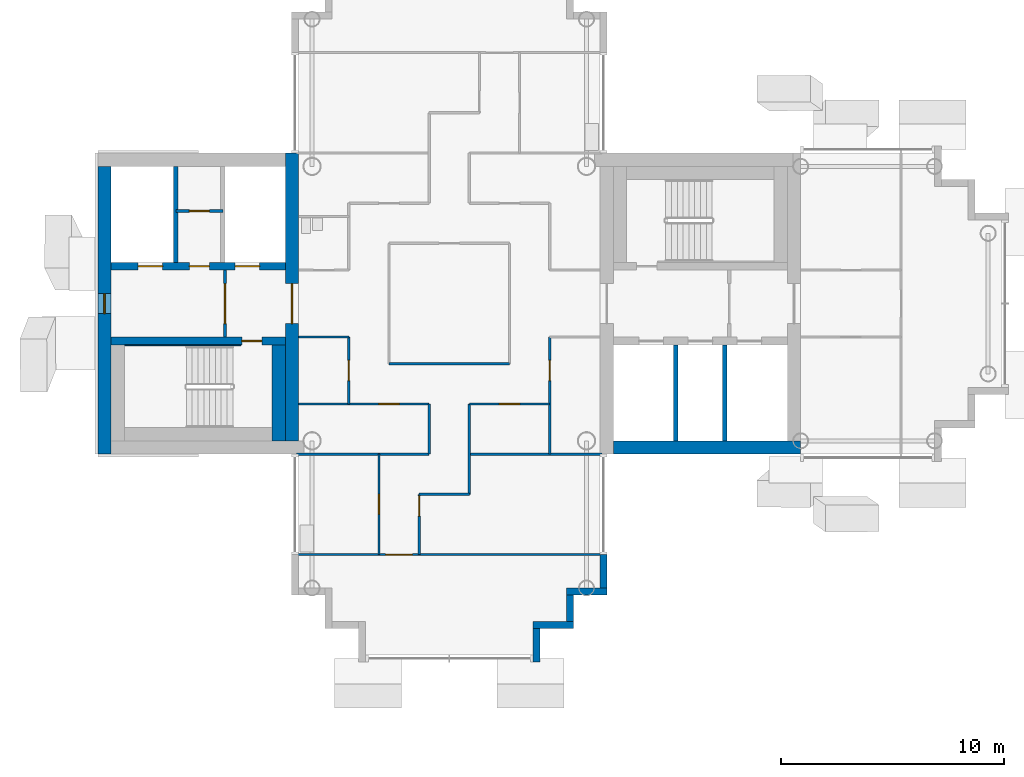
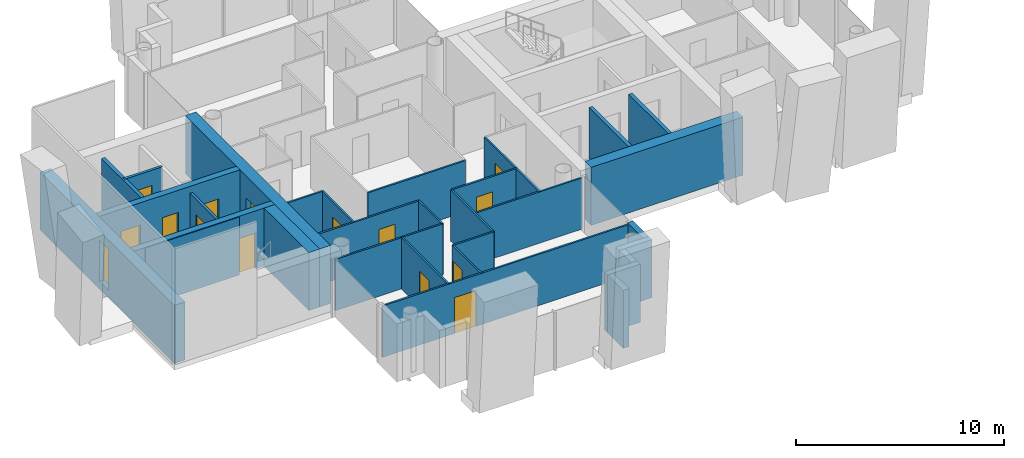
# One storey, part 6 of 18: 31 walls, 14 doors, 1 window, 15 openings.
"""IFC4 building model written with IfcOpenShell, lengths in metres."""

import ifcopenshell
import ifcopenshell.guid

model = None  # the IFC model being written
_history = None  # IfcOwnerHistory: only IFC2X3 demands one
_inside = {}  # id of a spatial element -> (the spatial element, [elements in it])
_under = {}  # id of a project, library or spatial element -> (it, [spatial elements below it])
_declared = {}  # id of a project -> (the project, [libraries it declares])
_typed = {}  # id of a type object -> (the type object, [elements of that type])
_made_of = {}  # id of a material, layer set ... -> (it, [elements and type objects made of it])


def new_model(schema):
    """Start an empty IFC model of exactly this schema.

    Asked for "IFC4X3", IfcOpenShell would pick the latest addendum, in which some entities
    have other attributes; the version numbers below select the first issue.
    IFC2X3 requires an IfcOwnerHistory on every rooted entity: one is made here for all.
    """
    global model, _history
    if schema == "IFC4X3":
        model = ifcopenshell.file(schema_version=(4, 3, 0, 0))
    else:
        model = ifcopenshell.file(schema=schema)
    _inside.clear()
    _under.clear()
    _declared.clear()
    _typed.clear()
    _made_of.clear()
    _history = None
    if model.schema == "IFC2X3":
        org = make("IfcOrganization", Name="unknown")
        user = make(
            "IfcPersonAndOrganization",
            ThePerson=make("IfcPerson", FamilyName="unknown"),
            TheOrganization=org,
        )
        app = make(
            "IfcApplication",
            ApplicationDeveloper=org,
            Version="unknown",
            ApplicationFullName="unknown",
            ApplicationIdentifier="unknown",
        )
        _history = make(
            "IfcOwnerHistory",
            OwningUser=user,
            OwningApplication=app,
            ChangeAction="ADDED",
            CreationDate=0,
        )
    return model


def make(cls, **values):
    """One entity of the class cls with the attributes given. An attribute that is None is left unset."""
    return model.create_entity(
        cls, **{name: value for name, value in values.items() if value is not None}
    )


def rooted(cls, **values):
    """An entity with a GlobalId (a new one), such as an element, a storey or a relation."""
    return make(cls, GlobalId=ifcopenshell.guid.new(), OwnerHistory=_history, **values)


def si_unit(unit_type, name, prefix=None):
    """IfcSIUnit, for example si_unit("LENGTHUNIT", "METRE", prefix="MILLI")."""
    return make("IfcSIUnit", UnitType=unit_type, Prefix=prefix, Name=name)


def assignment(units):
    """IfcUnitAssignment: the units of a project."""
    return None if units is None else make("IfcUnitAssignment", Units=units)


def point(xyz):
    """IfcCartesianPoint."""
    return None if xyz is None else make("IfcCartesianPoint", Coordinates=xyz)


def direction(xyz):
    """IfcDirection."""
    return None if xyz is None else make("IfcDirection", DirectionRatios=xyz)


def frame(location, z_axis=None, x_axis=None):
    """IfcAxis2Placement3D, a coordinate frame: its origin and axes. An axis left out is left unset."""
    return make(
        "IfcAxis2Placement3D",
        Location=point(location),
        Axis=direction(z_axis),
        RefDirection=direction(x_axis),
    )


def frame_2d(location, x_axis=None):
    """IfcAxis2Placement2D, a coordinate frame in the plane: its origin and x axis."""
    return make(
        "IfcAxis2Placement2D", Location=point(location), RefDirection=direction(x_axis)
    )


def origin():
    """The frame at (0, 0, 0) with its axes left unset."""
    return frame((0.0, 0.0, 0.0))


def place(relative_to, where):
    """IfcLocalPlacement: puts the frame where relative to a parent placement (None: the world)."""
    return make(
        "IfcLocalPlacement", PlacementRelTo=relative_to, RelativePlacement=where
    )


def context(
    kind, dimensions, precision=None, world=None, true_north=None, identifier=None
):
    """IfcGeometricRepresentationContext, for example the 3D "Model" context."""
    return make(
        "IfcGeometricRepresentationContext",
        ContextIdentifier=identifier,
        ContextType=kind,
        CoordinateSpaceDimension=dimensions,
        Precision=precision,
        WorldCoordinateSystem=world,
        TrueNorth=true_north,
    )


def subcontext(parent, identifier, kind, view, scale=None):
    """IfcGeometricRepresentationSubContext, for example "Body" below "Model"."""
    return make(
        "IfcGeometricRepresentationSubContext",
        ContextIdentifier=identifier,
        ContextType=kind,
        ParentContext=parent,
        TargetScale=scale,
        TargetView=view,
    )


def project(units=None, contexts=None):
    """IfcProject with its units and contexts."""
    return rooted(
        "IfcProject",
        Name="project",
        RepresentationContexts=contexts,
        UnitsInContext=assignment(units),
    )


def spatial(cls, under=None, at=None, **own):
    """A site, building, storey or space (cls), placed at a placement, below another one or the project."""
    s = rooted(cls, ObjectPlacement=at, **own)
    if under is not None:
        _under.setdefault(under.id(), (under, []))[1].append(s)
    return s


def profile(cls, at=None, kind="AREA", **sizes):
    """A parametric profile (cls). Its sizes go by their IFC names, for example OverallWidth=200.0."""
    return make(cls, ProfileType=kind, Position=at, **sizes)


def rectangle(**sizes):
    """IfcRectangleProfileDef."""
    return profile("IfcRectangleProfileDef", **sizes)


def extrude(swept, where, along, depth):
    """IfcExtrudedAreaSolid: the profile swept, set in the frame where, extruded along a direction by depth."""
    return make(
        "IfcExtrudedAreaSolid",
        SweptArea=swept,
        Position=where,
        ExtrudedDirection=direction(along),
        Depth=depth,
    )


def shape(context_of_items, identifier, shape_type, items):
    """IfcShapeRepresentation: the items that make up one representation, for example the "Body"."""
    return make(
        "IfcShapeRepresentation",
        ContextOfItems=context_of_items,
        RepresentationIdentifier=identifier,
        RepresentationType=shape_type,
        Items=items,
    )


def material(Name=None, Category=None):
    """IfcMaterial."""
    return make("IfcMaterial", Name=Name, Category=Category)


def layer(
    of_material, thickness, ventilated=None, Name=None, Category=None, Priority=None
):
    """IfcMaterialLayer: one layer of a wall or slab, of a material (None: an air gap)."""
    return make(
        "IfcMaterialLayer",
        Material=of_material,
        LayerThickness=thickness,
        IsVentilated=ventilated,
        Name=Name,
        Category=Category,
        Priority=Priority,
    )


def layer_set(layers, Name=None):
    """IfcMaterialLayerSet."""
    return make("IfcMaterialLayerSet", MaterialLayers=layers, LayerSetName=Name)


def made_of(thing, what):
    """Note that an element or type object is made of a material, layer set ...; save() writes the relation."""
    if what is not None:
        _made_of.setdefault(what.id(), (what, []))[1].append(thing)
    return thing


def type_object(cls, material=None, **own):
    """A type object (cls), such as IfcWallType, which elements share."""
    return made_of(rooted(cls, **own), material)


def element(
    cls,
    number,
    at=None,
    inside=None,
    cuts=None,
    type_object=None,
    material=None,
    context=None,
    identifier="Body",
    shape_type=None,
    held_by="IfcProductDefinitionShape",
    body=None,
    shapes=None,
    **own,
):
    """One element of the class cls, such as IfcWall. Its Tag is "e" and its number.

    at: its placement. inside: the storey or other place that contains it. cuts: it is an
    opening in that element (IfcRelVoidsElement). A single representation is given by context,
    identifier, shape_type and body (its items); several are given by shapes. held_by: the class
    of the entity that holds the representations. save() writes the other relations.
    """
    e = rooted(cls, Tag="e%d" % number, ObjectPlacement=at, **own)
    if body is not None:
        shapes = [shape(context, identifier, shape_type, body)]
    if shapes is not None:
        e.Representation = make(held_by, Representations=shapes)
    if inside is not None:
        _inside.setdefault(inside.id(), (inside, []))[1].append(e)
    if cuts is not None:
        rooted(
            "IfcRelVoidsElement", RelatingBuildingElement=cuts, RelatedOpeningElement=e
        )
    if type_object is not None:
        _typed.setdefault(type_object.id(), (type_object, []))[1].append(e)
    return made_of(e, material)


def fill(opening, filler):
    """IfcRelFillsElement: the door or window that sits in an opening."""
    return rooted(
        "IfcRelFillsElement",
        RelatingOpeningElement=opening,
        RelatedBuildingElement=filler,
    )


def aggregate(whole, parts):
    """IfcRelAggregates: a whole, such as a stair, and the parts it consists of."""
    return rooted("IfcRelAggregates", RelatingObject=whole, RelatedObjects=parts)


def save(model, path):
    """Write the relations noted so far, then the file.

    IfcRelAggregates (storeys below a building ...), IfcRelContainedInSpatialStructure (elements
    in a storey), IfcRelDefinesByType, IfcRelAssociatesMaterial and IfcRelDeclares: one each for
    every whole, place, type object, material and project.
    """
    for whole, parts in _under.values():
        aggregate(whole, parts)
    for where, things in _inside.values():
        rooted(
            "IfcRelContainedInSpatialStructure",
            RelatedElements=things,
            RelatingStructure=where,
        )
    for kind, things in _typed.values():
        rooted("IfcRelDefinesByType", RelatedObjects=things, RelatingType=kind)
    for what, things in _made_of.values():
        rooted("IfcRelAssociatesMaterial", RelatedObjects=things, RelatingMaterial=what)
    for by, libraries in _declared.values():
        rooted("IfcRelDeclares", RelatingContext=by, RelatedDefinitions=libraries)
    model.write(path)


model = new_model("IFC4")

# Units and contexts
model_context = context("Model", 3, precision=1e-05, world=origin(), true_north=direction((0.0, 1.0)))
body_context = subcontext(model_context, "Body", "Model", "MODEL_VIEW")
ifc_project = project(units=[si_unit("LENGTHUNIT", "METRE"), si_unit("AREAUNIT", "SQUARE_METRE"), si_unit("VOLUMEUNIT", "CUBIC_METRE"), si_unit("PLANEANGLEUNIT", "RADIAN"), si_unit("MASSUNIT", "GRAM", prefix="KILO")], contexts=[model_context])

# Site, building, storey
site_placement = place(None, origin())
site = spatial("IfcSite", under=ifc_project, at=site_placement, CompositionType="ELEMENT")
building_placement = place(site_placement, origin())
building = spatial("IfcBuilding", under=site, at=building_placement, Name="Ipe Terrace Towers", CompositionType="ELEMENT")
storey_placement = place(building_placement, frame((0.0, 0.0, 216.39990234375)))
storey = spatial("IfcBuildingStorey", under=building, at=storey_placement, Name="L60", CompositionType="ELEMENT", Elevation=216.39990234375)

# Walls
ifc_material_1 = material(Name="Concrete C40/50 with buff precast cladding", Category="concrete")
ifc_layer_1 = layer(ifc_material_1, 0.320068359375)
ifc_layer_set_1 = layer_set([ifc_layer_1], Name="BUFF CLADDING WALL 320")
wall_type_1 = type_object("IfcWallType", Name="BUFF CLADDING WALL 320", PredefinedType="STANDARD", material=ifc_layer_set_1)
wall_1_placement = place(storey_placement, frame((-32.090087890625, -16.070068359375, -0.2998046875), z_axis=(0.0, 0.0, 1.0), x_axis=(0.0, 1.0, 0.0)))
element("IfcWall", 1, at=wall_1_placement, inside=storey, type_object=wall_type_1, Name="T1-W-L60-09a wall", PredefinedType="STANDARD", context=body_context, shape_type="SweptSolid", body=[
    extrude(rectangle(XDim=1.5, YDim=0.320068359375, at=frame_2d((0.75, 0.0))), origin(), (0.0, 0.0, 1.0), 3.39990234375),
])
wall_2_placement = place(storey_placement, frame((-32.25, -14.409912109375, -0.2998046875), z_axis=(0.0, 0.0, 1.0), x_axis=(1.0, 0.0, 0.0)))
element("IfcWall", 2, at=wall_2_placement, inside=storey, type_object=wall_type_1, Name="T1-W-L60-10a wall", PredefinedType="STANDARD", context=body_context, shape_type="SweptSolid", body=[
    extrude(rectangle(XDim=1.820068359375, YDim=0.320068359375, at=frame_2d((0.91015625, 0.0))), origin(), (0.0, 0.0, 1.0), 3.39990234375),
])
wall_3_placement = place(storey_placement, frame((-30.590087890625, -14.25, -0.2998046875), z_axis=(0.0, 0.0, 1.0), x_axis=(0.0, 1.0, 0.0)))
element("IfcWall", 3, at=wall_3_placement, inside=storey, type_object=wall_type_1, Name="T1-W-L60-11a wall", PredefinedType="STANDARD", context=body_context, shape_type="SweptSolid", body=[
    extrude(rectangle(XDim=1.179931640625, YDim=0.320068359375, at=frame_2d((0.58984375, 0.0))), origin(), (0.0, 0.0, 1.0), 3.39990234375),
])
wall_4_placement = place(storey_placement, frame((-30.75, -12.909912109375, -0.2998046875), z_axis=(0.0, 0.0, 1.0), x_axis=(1.0, 0.0, 0.0)))
element("IfcWall", 4, at=wall_4_placement, inside=storey, type_object=wall_type_1, Name="T1-W-L60-12a wall", PredefinedType="STANDARD", context=body_context, shape_type="SweptSolid", body=[
    extrude(rectangle(XDim=1.820068359375, YDim=0.320068359375, at=frame_2d((0.91015625, 0.0))), origin(), (0.0, 0.0, 1.0), 3.39990234375),
])
wall_5_placement = place(storey_placement, frame((-29.090087890625, -12.75, -0.2998046875), z_axis=(0.0, 0.0, 1.0), x_axis=(0.0, 1.0, 0.0)))
element("IfcWall", 5, at=wall_5_placement, inside=storey, type_object=wall_type_1, Name="T1-W-L60-13a wall", PredefinedType="STANDARD", context=body_context, shape_type="SweptSolid", body=[
    extrude(rectangle(XDim=1.5, YDim=0.320068359375, at=frame_2d((0.75, 0.0))), origin(), (0.0, 0.0, 1.0), 3.39990234375),
])

# Wall, opening, door
ifc_material_2 = material(Name="Gypsum board partition", Category="plasterboard")
ifc_layer_2 = layer(ifc_material_2, 0.10009765625)
ifc_layer_set_2 = layer_set([ifc_layer_2], Name="Gypsum board partition 100 mm")
wall_type_2 = type_object("IfcWallType", Name="Gypsum board partition 100 mm", PredefinedType="PARTITIONING", material=ifc_layer_set_2)
wall_6_placement = place(storey_placement, frame((-40.5, -4.5, 0.0), z_axis=(0.0, 0.0, 1.0), x_axis=(0.0, 1.0, 0.0)))
wall_6 = element("IfcWall", 6, at=wall_6_placement, inside=storey, type_object=wall_type_2, Name="Gypsum board partition T1 L60 W01", PredefinedType="PARTITIONING", context=body_context, shape_type="SweptSolid", body=[
    extrude(rectangle(XDim=3.0, YDim=0.10009765625, at=frame_2d((1.5, 0.0))), origin(), (0.0, 0.0, 1.0), 3.0),
])
opening_1_placement = place(wall_6_placement, frame((1.050048828125, 0.0, 0.0)))
opening_1 = element("IfcOpeningElement", 7, at=opening_1_placement, cuts=wall_6, Name="Opening T1-Z4F-06", PredefinedType="OPENING", context=body_context, shape_type="SweptSolid", body=[
    extrude(rectangle(XDim=0.89990234375, YDim=2.10009765625, at=frame_2d((0.449951171875, 1.050048828125))), frame((0.0, 0.06005859375, 0.0), z_axis=(0.0, -1.0, 0.0), x_axis=(1.0, 0.0, 0.0)), (0.0, 0.0, 1.0), 0.1201171875),
])
ifc_material_3 = material(Name="Timber door leaf", Category="wood")
door_type_1 = type_object("IfcDoorType", Name="Lounge door 900 x 2100", OperationType="NOTDEFINED", PredefinedType="DOOR", material=ifc_material_3)
door_1_placement = place(opening_1_placement, origin())
door_1 = element("IfcDoor", 8, at=door_1_placement, inside=storey, type_object=door_type_1, Name="Lounge door T1-Z4F-06", OperationType="SINGLE_SWING_LEFT", OverallHeight=2.10009765625, OverallWidth=0.89990234375, PredefinedType="DOOR", context=body_context, shape_type="SweptSolid", body=[
    extrude(rectangle(XDim=0.89990234375, YDim=2.10009765625, at=frame_2d((0.449951171875, 1.050048828125))), frame((0.0, 0.02490234375, 0.0), z_axis=(0.0, -1.0, 0.0), x_axis=(1.0, 0.0, 0.0)), (0.0, 0.0, 1.0), 0.050048828125),
])
fill(opening_1, door_1)

wall_7_placement = place(storey_placement, frame((-39.14990234375, -11.25, 0.0), z_axis=(0.0, 0.0, 1.0), x_axis=(0.0, 1.0, 0.0)))
wall_7 = element("IfcWall", 9, at=wall_7_placement, inside=storey, type_object=wall_type_2, Name="Gypsum board partition T1 L60 W03", PredefinedType="PARTITIONING", context=body_context, shape_type="SweptSolid", body=[
    extrude(rectangle(XDim=4.5, YDim=0.10009765625, at=frame_2d((2.25, 0.0))), origin(), (0.0, 0.0, 1.0), 3.0),
])
opening_2_placement = place(wall_7_placement, frame((1.800048828125, 0.0, 0.0)))
opening_2 = element("IfcOpeningElement", 10, at=opening_2_placement, cuts=wall_7, Name="Opening T1-Z4F-13", PredefinedType="OPENING", context=body_context, shape_type="SweptSolid", body=[
    extrude(rectangle(XDim=0.89990234375, YDim=2.10009765625, at=frame_2d((0.449951171875, 1.050048828125))), frame((0.0, 0.06005859375, 0.0), z_axis=(0.0, -1.0, 0.0), x_axis=(1.0, 0.0, 0.0)), (0.0, 0.0, 1.0), 0.1201171875),
])
door_2_placement = place(opening_2_placement, origin())
door_2 = element("IfcDoor", 11, at=door_2_placement, inside=storey, type_object=door_type_1, Name="Lounge door T1-Z4F-13", OperationType="SINGLE_SWING_LEFT", OverallHeight=2.10009765625, OverallWidth=0.89990234375, PredefinedType="DOOR", context=body_context, shape_type="SweptSolid", body=[
    extrude(rectangle(XDim=0.89990234375, YDim=2.10009765625, at=frame_2d((0.449951171875, 1.050048828125))), frame((0.0, 0.02490234375, 0.0), z_axis=(0.0, -1.0, 0.0), x_axis=(1.0, 0.0, 0.0)), (0.0, 0.0, 1.0), 0.050048828125),
])
fill(opening_2, door_2)

wall_8_placement = place(storey_placement, frame((-37.35009765625, -11.25, 0.0), z_axis=(0.0, 0.0, 1.0), x_axis=(0.0, 1.0, 0.0)))
wall_8 = element("IfcWall", 12, at=wall_8_placement, inside=storey, type_object=wall_type_2, Name="Gypsum board partition T1 L60 W05", PredefinedType="PARTITIONING", context=body_context, shape_type="SweptSolid", body=[
    extrude(rectangle(XDim=2.699951171875, YDim=0.10009765625, at=frame_2d((1.35009765625, 0.0))), origin(), (0.0, 0.0, 1.0), 3.0),
])
opening_3_placement = place(wall_8_placement, frame((1.72998046875, 0.0, 0.0)))
opening_3 = element("IfcOpeningElement", 13, at=opening_3_placement, cuts=wall_8, Name="Opening T1-Z4F-12", PredefinedType="OPENING", context=body_context, shape_type="SweptSolid", body=[
    extrude(rectangle(XDim=0.89990234375, YDim=2.10009765625, at=frame_2d((0.449951171875, 1.050048828125))), frame((0.0, 0.06005859375, 0.0), z_axis=(0.0, -1.0, 0.0), x_axis=(1.0, 0.0, 0.0)), (0.0, 0.0, 1.0), 0.1201171875),
])
door_3_placement = place(opening_3_placement, origin())
door_3 = element("IfcDoor", 14, at=door_3_placement, inside=storey, type_object=door_type_1, Name="Lounge door T1-Z4F-12", OperationType="SINGLE_SWING_RIGHT", OverallHeight=2.10009765625, OverallWidth=0.89990234375, PredefinedType="DOOR", context=body_context, shape_type="SweptSolid", body=[
    extrude(rectangle(XDim=0.89990234375, YDim=2.10009765625, at=frame_2d((0.449951171875, 1.050048828125))), frame((0.0, 0.02490234375, 0.0), z_axis=(0.0, -1.0, 0.0), x_axis=(1.0, 0.0, 0.0)), (0.0, 0.0, 1.0), 0.050048828125),
])
fill(opening_3, door_3)

# Walls
wall_9_placement = place(storey_placement, frame((-36.89990234375, -6.75, 0.0), z_axis=(0.0, 0.0, 1.0), x_axis=(0.0, 1.0, 0.0)))
element("IfcWall", 15, at=wall_9_placement, inside=storey, type_object=wall_type_2, Name="Gypsum board partition T1 L60 W06", PredefinedType="PARTITIONING", context=body_context, shape_type="SweptSolid", body=[
    extrude(rectangle(XDim=2.25, YDim=0.10009765625, at=frame_2d((1.125, 0.0))), origin(), (0.0, 0.0, 1.0), 3.0),
])
wall_10_placement = place(storey_placement, frame((-35.10009765625, -8.550048828125, 0.0), z_axis=(0.0, 0.0, 1.0), x_axis=(0.0, 1.0, 0.0)))
element("IfcWall", 16, at=wall_10_placement, inside=storey, type_object=wall_type_2, Name="Gypsum board partition T1 L60 W08", PredefinedType="PARTITIONING", context=body_context, shape_type="SweptSolid", body=[
    extrude(rectangle(XDim=4.050048828125, YDim=0.10009765625, at=frame_2d((2.02490234375, 0.0))), origin(), (0.0, 0.0, 1.0), 3.0),
])

# Wall, opening, door
wall_11_placement = place(storey_placement, frame((-31.5, -6.75, 0.0), z_axis=(0.0, 0.0, 1.0), x_axis=(0.0, 1.0, 0.0)))
wall_11 = element("IfcWall", 17, at=wall_11_placement, inside=storey, type_object=wall_type_2, Name="Gypsum board partition T1 L60 W13", PredefinedType="PARTITIONING", context=body_context, shape_type="SweptSolid", body=[
    extrude(rectangle(XDim=5.25, YDim=0.10009765625, at=frame_2d((2.625, 0.0))), origin(), (0.0, 0.0, 1.0), 3.0),
])
opening_4_placement = place(wall_11_placement, frame((3.300048828125, 0.0, 0.0)))
opening_4 = element("IfcOpeningElement", 18, at=opening_4_placement, cuts=wall_11, Name="Opening T1-Z4F-08", PredefinedType="OPENING", context=body_context, shape_type="SweptSolid", body=[
    extrude(rectangle(XDim=0.89990234375, YDim=2.10009765625, at=frame_2d((0.449951171875, 1.050048828125))), frame((0.0, 0.06005859375, 0.0), z_axis=(0.0, -1.0, 0.0), x_axis=(1.0, 0.0, 0.0)), (0.0, 0.0, 1.0), 0.1201171875),
])
door_4_placement = place(opening_4_placement, origin())
door_4 = element("IfcDoor", 19, at=door_4_placement, inside=storey, type_object=door_type_1, Name="Lounge door T1-Z4F-08", OperationType="SINGLE_SWING_RIGHT", OverallHeight=2.10009765625, OverallWidth=0.89990234375, PredefinedType="DOOR", context=body_context, shape_type="SweptSolid", body=[
    extrude(rectangle(XDim=0.89990234375, YDim=2.10009765625, at=frame_2d((0.449951171875, 1.050048828125))), frame((0.0, 0.02490234375, 0.0), z_axis=(0.0, -1.0, 0.0), x_axis=(1.0, 0.0, 0.0)), (0.0, 0.0, 1.0), 0.050048828125),
])
fill(opening_4, door_4)

wall_12_placement = place(storey_placement, frame((-42.85009765625, -11.25, 0.0), z_axis=(0.0, 0.0, 1.0), x_axis=(1.0, 0.0, 0.0)))
wall_12 = element("IfcWall", 20, at=wall_12_placement, inside=storey, type_object=wall_type_2, Name="Gypsum board partition T1 L60 W16", PredefinedType="PARTITIONING", context=body_context, shape_type="SweptSolid", body=[
    extrude(rectangle(XDim=13.7001953125, YDim=0.10009765625, at=frame_2d((6.85009765625, 0.0))), origin(), (0.0, 0.0, 1.0), 3.0),
])
opening_5_placement = place(wall_12_placement, frame((4.0, 0.0, 0.0)))
opening_5 = element("IfcOpeningElement", 21, at=opening_5_placement, cuts=wall_12, Name="Opening T1-Z4F-14", PredefinedType="OPENING", context=body_context, shape_type="SweptSolid", body=[
    extrude(rectangle(XDim=1.199951171875, YDim=2.10009765625, at=frame_2d((0.60009765625, 1.050048828125))), frame((0.0, 0.06005859375, 0.0), z_axis=(0.0, -1.0, 0.0), x_axis=(1.0, 0.0, 0.0)), (0.0, 0.0, 1.0), 0.1201171875),
])
ifc_material_4 = material(Name="Timber door leaf", Category="wood")
door_type_2 = type_object("IfcDoorType", Name="Lounge door 1200 x 2100", OperationType="NOTDEFINED", PredefinedType="DOOR", material=ifc_material_4)
door_5_placement = place(opening_5_placement, origin())
door_5 = element("IfcDoor", 22, at=door_5_placement, inside=storey, type_object=door_type_2, Name="Lounge door T1-Z4F-14", OperationType="SINGLE_SWING_LEFT", OverallHeight=2.10009765625, OverallWidth=1.199951171875, PredefinedType="DOOR", context=body_context, shape_type="SweptSolid", body=[
    extrude(rectangle(XDim=1.199951171875, YDim=2.10009765625, at=frame_2d((0.60009765625, 1.050048828125))), frame((0.0, 0.02490234375, 0.0), z_axis=(0.0, -1.0, 0.0), x_axis=(1.0, 0.0, 0.0)), (0.0, 0.0, 1.0), 0.050048828125),
])
fill(opening_5, door_5)

# Walls
wall_13_placement = place(storey_placement, frame((-37.35009765625, -8.550048828125, 0.0), z_axis=(0.0, 0.0, 1.0), x_axis=(1.0, 0.0, 0.0)))
element("IfcWall", 23, at=wall_13_placement, inside=storey, type_object=wall_type_2, Name="Gypsum board partition T1 L60 W17", PredefinedType="PARTITIONING", context=body_context, shape_type="SweptSolid", body=[
    extrude(rectangle(XDim=2.25, YDim=0.10009765625, at=frame_2d((1.125, 0.0))), origin(), (0.0, 0.0, 1.0), 3.0),
])
for number, where, z_axis, x_axis, name in (
    (24, (-42.85009765625, -6.75, 0.0), (0.0, 0.0, 1.0), (1.0, 0.0, 0.0), "Gypsum board partition T1 L60 W18"),
    (25, (-35.10009765625, -6.75, 0.0), (0.0, 0.0, 1.0), (1.0, 0.0, 0.0), "Gypsum board partition T1 L60 W19"),
):
    element("IfcWall", number, at=place(storey_placement, frame(where, z_axis=z_axis, x_axis=x_axis)), inside=storey, type_object=wall_type_2, Name=name, PredefinedType="PARTITIONING", context=body_context, shape_type="SweptSolid", body=[
        extrude(rectangle(XDim=5.9501953125, YDim=0.10009765625, at=frame_2d((2.97509765625, 0.0))), origin(), (0.0, 0.0, 1.0), 3.0),
    ])

# Wall, opening, door
wall_14_placement = place(storey_placement, frame((-42.75, -4.5, 0.0), z_axis=(0.0, 0.0, 1.0), x_axis=(1.0, 0.0, 0.0)))
wall_14 = element("IfcWall", 26, at=wall_14_placement, inside=storey, type_object=wall_type_2, Name="Gypsum board partition T1 L60 W20", PredefinedType="PARTITIONING", context=body_context, shape_type="SweptSolid", body=[
    extrude(rectangle(XDim=5.85009765625, YDim=0.10009765625, at=frame_2d((2.925048828125, 0.0))), origin(), (0.0, 0.0, 1.0), 3.0),
])
opening_6_placement = place(wall_14_placement, frame((3.60009765625, 0.0, 0.0)))
opening_6 = element("IfcOpeningElement", 27, at=opening_6_placement, cuts=wall_14, Name="Opening T1-Z4F-05", PredefinedType="OPENING", context=body_context, shape_type="SweptSolid", body=[
    extrude(rectangle(XDim=0.89990234375, YDim=2.10009765625, at=frame_2d((0.449951171875, 1.050048828125))), frame((0.0, 0.06005859375, 0.0), z_axis=(0.0, -1.0, 0.0), x_axis=(1.0, 0.0, 0.0)), (0.0, 0.0, 1.0), 0.1201171875),
])
door_6_placement = place(opening_6_placement, origin())
door_6 = element("IfcDoor", 28, at=door_6_placement, inside=storey, type_object=door_type_1, Name="Lounge door T1-Z4F-05", OperationType="SINGLE_SWING_RIGHT", OverallHeight=2.10009765625, OverallWidth=0.89990234375, PredefinedType="DOOR", context=body_context, shape_type="SweptSolid", body=[
    extrude(rectangle(XDim=0.89990234375, YDim=2.10009765625, at=frame_2d((0.449951171875, 1.050048828125))), frame((0.0, 0.02490234375, 0.0), z_axis=(0.0, -1.0, 0.0), x_axis=(1.0, 0.0, 0.0)), (0.0, 0.0, 1.0), 0.050048828125),
])
fill(opening_6, door_6)

wall_15_placement = place(storey_placement, frame((-35.10009765625, -4.5, 0.0), z_axis=(0.0, 0.0, 1.0), x_axis=(1.0, 0.0, 0.0)))
wall_15 = element("IfcWall", 29, at=wall_15_placement, inside=storey, type_object=wall_type_2, Name="Gypsum board partition T1 L60 W21", PredefinedType="PARTITIONING", context=body_context, shape_type="SweptSolid", body=[
    extrude(rectangle(XDim=3.60009765625, YDim=0.10009765625, at=frame_2d((1.800048828125, 0.0))), origin(), (0.0, 0.0, 1.0), 3.0),
])
opening_7_placement = place(wall_15_placement, frame((1.35009765625, 0.0, 0.0)))
opening_7 = element("IfcOpeningElement", 30, at=opening_7_placement, cuts=wall_15, Name="Opening T1-Z4F-07", PredefinedType="OPENING", context=body_context, shape_type="SweptSolid", body=[
    extrude(rectangle(XDim=0.89990234375, YDim=2.10009765625, at=frame_2d((0.449951171875, 1.050048828125))), frame((0.0, 0.06005859375, 0.0), z_axis=(0.0, -1.0, 0.0), x_axis=(1.0, 0.0, 0.0)), (0.0, 0.0, 1.0), 0.1201171875),
])
door_7_placement = place(opening_7_placement, origin())
door_7 = element("IfcDoor", 31, at=door_7_placement, inside=storey, type_object=door_type_1, Name="Lounge door T1-Z4F-07", OperationType="SINGLE_SWING_RIGHT", OverallHeight=2.10009765625, OverallWidth=0.89990234375, PredefinedType="DOOR", context=body_context, shape_type="SweptSolid", body=[
    extrude(rectangle(XDim=0.89990234375, YDim=2.10009765625, at=frame_2d((0.449951171875, 1.050048828125))), frame((0.0, 0.02490234375, 0.0), z_axis=(0.0, -1.0, 0.0), x_axis=(1.0, 0.0, 0.0)), (0.0, 0.0, 1.0), 0.050048828125),
])
fill(opening_7, door_7)

# Walls
wall_16_placement = place(storey_placement, frame((-38.699951171875, -2.699951171875, 0.0), z_axis=(0.0, 0.0, 1.0), x_axis=(1.0, 0.0, 0.0)))
element("IfcWall", 32, at=wall_16_placement, inside=storey, type_object=wall_type_2, Name="Gypsum board partition T1 L60 W22", PredefinedType="PARTITIONING", context=body_context, shape_type="SweptSolid", body=[
    extrude(rectangle(XDim=5.39990234375, YDim=0.10009765625, at=frame_2d((2.699951171875, 0.0))), origin(), (0.0, 0.0, 1.0), 3.0),
])
wall_17_placement = place(storey_placement, frame((-42.75, -1.5, 0.0), z_axis=(0.0, 0.0, 1.0), x_axis=(1.0, 0.0, 0.0)))
element("IfcWall", 33, at=wall_17_placement, inside=storey, type_object=wall_type_2, Name="Gypsum board partition T1 L60 W23", PredefinedType="PARTITIONING", context=body_context, shape_type="SweptSolid", body=[
    extrude(rectangle(XDim=2.25, YDim=0.10009765625, at=frame_2d((1.125, 0.0))), origin(), (0.0, 0.0, 1.0), 3.0),
])

# Wall, opening, door
ifc_material_5 = material(Name="Gypsum board partition", Category="plasterboard")
ifc_layer_3 = layer(ifc_material_5, 0.14990234375)
ifc_layer_set_3 = layer_set([ifc_layer_3], Name="Gypsum board partition 150 mm")
wall_type_3 = type_object("IfcWallType", Name="Gypsum board partition 150 mm", PredefinedType="PARTITIONING", material=ifc_layer_set_3)
wall_18_placement = place(storey_placement, frame((-46.050048828125, 1.5, 0.0), z_axis=(0.0, 0.0, 1.0), x_axis=(0.0, -1.0, 0.0)))
wall_18 = element("IfcWall", 34, at=wall_18_placement, inside=storey, type_object=wall_type_3, Name="Gypsum board partition T1 L60 t1c2-lobby-wall", PredefinedType="PARTITIONING", context=body_context, shape_type="SweptSolid", body=[
    extrude(rectangle(XDim=3.0, YDim=0.14990234375, at=frame_2d((1.5, 0.0))), origin(), (0.0, 0.0, 1.0), 3.0),
])
opening_8_placement = place(wall_18_placement, frame((0.60009765625, 0.0, 0.0)))
opening_8 = element("IfcOpeningElement", 35, at=opening_8_placement, cuts=wall_18, Name="Opening T1C2-VD", PredefinedType="OPENING", context=body_context, shape_type="SweptSolid", body=[
    extrude(rectangle(XDim=1.800048828125, YDim=2.10009765625, at=frame_2d((0.89990234375, 1.050048828125))), frame((0.0, 0.0849609375, 0.0), z_axis=(0.0, -1.0, 0.0), x_axis=(1.0, 0.0, 0.0)), (0.0, 0.0, 1.0), 0.169921875),
])
ifc_material_6 = material(Name="Fire-rated timber door leaf", Category="wood")
door_type_3 = type_object("IfcDoorType", Name="Lobby door 1800 x 2100 FD60", OperationType="NOTDEFINED", PredefinedType="DOOR", material=ifc_material_6)
door_8_placement = place(opening_8_placement, origin())
door_8 = element("IfcDoor", 36, at=door_8_placement, inside=storey, type_object=door_type_3, Name="Lobby door T1C2-VD", OperationType="SINGLE_SWING_LEFT", OverallHeight=2.10009765625, OverallWidth=1.800048828125, PredefinedType="DOOR", context=body_context, shape_type="SweptSolid", body=[
    extrude(rectangle(XDim=1.800048828125, YDim=2.10009765625, at=frame_2d((0.89990234375, 1.050048828125))), frame((0.0, 0.02490234375, 0.0), z_axis=(0.0, -1.0, 0.0), x_axis=(1.0, 0.0, 0.0)), (0.0, 0.0, 1.0), 0.050048828125),
])
fill(opening_8, door_8)

wall_19_placement = place(storey_placement, frame((-46.14990234375, 4.14990234375, 0.0), z_axis=(0.0, 0.0, 1.0), x_axis=(-1.0, 0.0, 0.0)))
wall_19 = element("IfcWall", 37, at=wall_19_placement, inside=storey, type_object=wall_type_3, Name="Gypsum board partition T1 L60 t1c2-q-back", PredefinedType="PARTITIONING", context=body_context, shape_type="SweptSolid", body=[
    extrude(rectangle(XDim=2.10009765625, YDim=0.14990234375, at=frame_2d((1.050048828125, 0.0))), origin(), (0.0, 0.0, 1.0), 3.0),
])
opening_9_placement = place(wall_19_placement, frame((0.60009765625, 0.0, 0.0)))
opening_9 = element("IfcOpeningElement", 38, at=opening_9_placement, cuts=wall_19, Name="Opening T1C2-RB", PredefinedType="OPENING", context=body_context, shape_type="SweptSolid", body=[
    extrude(rectangle(XDim=0.89990234375, YDim=2.10009765625, at=frame_2d((0.449951171875, 1.050048828125))), frame((0.0, 0.0849609375, 0.0), z_axis=(0.0, -1.0, 0.0), x_axis=(1.0, 0.0, 0.0)), (0.0, 0.0, 1.0), 0.169921875),
])
ifc_material_7 = material(Name="Fire-rated timber door leaf", Category="wood")
door_type_4 = type_object("IfcDoorType", Name="Service door 900 x 2100 FD60", OperationType="NOTDEFINED", PredefinedType="DOOR", material=ifc_material_7)
door_9_placement = place(opening_9_placement, origin())
door_9 = element("IfcDoor", 39, at=door_9_placement, inside=storey, type_object=door_type_4, Name="Service door T1C2-RB", OperationType="SINGLE_SWING_LEFT", OverallHeight=2.10009765625, OverallWidth=0.89990234375, PredefinedType="DOOR", context=body_context, shape_type="SweptSolid", body=[
    extrude(rectangle(XDim=0.89990234375, YDim=2.10009765625, at=frame_2d((0.449951171875, 1.050048828125))), frame((0.0, 0.02490234375, 0.0), z_axis=(0.0, -1.0, 0.0), x_axis=(1.0, 0.0, 0.0)), (0.0, 0.0, 1.0), 0.050048828125),
])
fill(opening_9, door_9)

# Walls
ifc_material_8 = material(Name="Gypsum board party wall", Category="plasterboard")
ifc_layer_4 = layer(ifc_material_8, 0.199951171875)
ifc_layer_set_4 = layer_set([ifc_layer_4], Name="Gypsum board party wall 200 mm")
wall_type_4 = type_object("IfcWallType", Name="Gypsum board party wall 200 mm", PredefinedType="SOLIDWALL", material=ifc_layer_set_4)
for number, where, z_axis, x_axis, name in (
    (40, (-25.85009765625, -6.14990234375, 0.0), (0.0, 0.0, 1.0), (0.0, 1.0, 0.0), "Gypsum board party wall T1 L60 t1c1-shaft-div1"),
    (41, (-23.64990234375, -6.14990234375, 0.0), (0.0, 0.0, 1.0), (0.0, 1.0, 0.0), "Gypsum board party wall T1 L60 t1c1-shaft-div2"),
    (42, (-48.25, 6.14990234375, 0.0), (0.0, 0.0, 1.0), (0.0, -1.0, 0.0), "Gypsum board party wall T1 L60 t1c2-shaft-div2"),
):
    element("IfcWall", number, at=place(storey_placement, frame(where, z_axis=z_axis, x_axis=x_axis)), inside=storey, type_object=wall_type_4, Name=name, PredefinedType="SOLIDWALL", context=body_context, shape_type="SweptSolid", body=[
        extrude(rectangle(XDim=4.2998046875, YDim=0.199951171875, at=frame_2d((2.14990234375, 0.0))), origin(), (0.0, 0.0, 1.0), 3.0),
    ])

# Wall, opening, door
ifc_material_9 = material(Name="Concrete C40/50", Category="concrete")
ifc_layer_5 = layer(ifc_material_9, 0.35009765625)
ifc_layer_set_5 = layer_set([ifc_layer_5], Name="RW350 CORE SPINE WALL 350 C40-50")
wall_type_5 = type_object("IfcWallType", Name="RW350 CORE SPINE WALL 350 C40-50", PredefinedType="SHEAR", material=ifc_layer_set_5)
wall_20_placement = place(storey_placement, frame((-51.14990234375, -1.675048828125, 0.0), z_axis=(0.0, 0.0, 1.0), x_axis=(1.0, 0.0, 0.0)))
wall_20 = element("IfcWall", 43, at=wall_20_placement, inside=storey, type_object=wall_type_5, Name="Core spine wall T1-C2-Z4-SW1", PredefinedType="SHEAR", context=body_context, shape_type="SweptSolid", body=[
    extrude(rectangle(XDim=7.7998046875, YDim=0.35009765625, at=frame_2d((3.89990234375, 0.0))), origin(), (0.0, 0.0, 1.0), 3.400146484375),
])
opening_10_placement = place(wall_20_placement, frame((5.85009765625, 0.0, 0.0)))
opening_10 = element("IfcOpeningElement", 44, at=opening_10_placement, cuts=wall_20, Name="Opening T1C2-SD", PredefinedType="OPENING", context=body_context, shape_type="SweptSolid", body=[
    extrude(rectangle(XDim=0.89990234375, YDim=2.10009765625, at=frame_2d((0.449951171875, 1.050048828125))), frame((0.0, 0.18505859375, 0.0), z_axis=(0.0, -1.0, 0.0), x_axis=(1.0, 0.0, 0.0)), (0.0, 0.0, 1.0), 0.3701171875),
])
ifc_material_10 = material(Name="Fire-rated timber door leaf", Category="wood")
door_type_5 = type_object("IfcDoorType", Name="Stair door 900 x 2100 FD60", OperationType="NOTDEFINED", PredefinedType="DOOR", material=ifc_material_10)
door_10_placement = place(opening_10_placement, origin())
door_10 = element("IfcDoor", 45, at=door_10_placement, inside=storey, type_object=door_type_5, Name="Stair door T1C2-SD", OperationType="SINGLE_SWING_RIGHT", OverallHeight=2.10009765625, OverallWidth=0.89990234375, PredefinedType="DOOR", context=body_context, shape_type="SweptSolid", body=[
    extrude(rectangle(XDim=0.89990234375, YDim=2.10009765625, at=frame_2d((0.449951171875, 1.050048828125))), frame((0.0, 0.02490234375, 0.0), z_axis=(0.0, -1.0, 0.0), x_axis=(1.0, 0.0, 0.0)), (0.0, 0.0, 1.0), 0.050048828125),
])
fill(opening_10, door_10)

# Wall, openings, doors
wall_21_placement = place(storey_placement, frame((-51.14990234375, 1.675048828125, 0.0), z_axis=(0.0, 0.0, 1.0), x_axis=(1.0, 0.0, 0.0)))
wall_21 = element("IfcWall", 46, at=wall_21_placement, inside=storey, type_object=wall_type_5, Name="Core spine wall T1-C2-Z4-SW2", PredefinedType="SHEAR", context=body_context, shape_type="SweptSolid", body=[
    extrude(rectangle(XDim=7.7998046875, YDim=0.35009765625, at=frame_2d((3.89990234375, 0.0))), origin(), (0.0, 0.0, 1.0), 3.400146484375),
])
opening_11_placement = place(wall_21_placement, frame((5.550048828125, 0.0, 0.0)))
opening_11 = element("IfcOpeningElement", 47, at=opening_11_placement, cuts=wall_21, Name="Opening T1C2-LD1", PredefinedType="OPENING", context=body_context, shape_type="SweptSolid", body=[
    extrude(rectangle(XDim=1.10009765625, YDim=2.10009765625, at=frame_2d((0.550048828125, 1.050048828125))), frame((0.0, 0.18505859375, 0.0), z_axis=(0.0, -1.0, 0.0), x_axis=(1.0, 0.0, 0.0)), (0.0, 0.0, 1.0), 0.3701171875),
])
opening_12_placement = place(wall_21_placement, frame((1.199951171875, 0.0, 0.0)))
opening_12 = element("IfcOpeningElement", 48, at=opening_12_placement, cuts=wall_21, Name="Opening T1C2-LD3", PredefinedType="OPENING", context=body_context, shape_type="SweptSolid", body=[
    extrude(rectangle(XDim=1.10009765625, YDim=2.10009765625, at=frame_2d((0.550048828125, 1.050048828125))), frame((0.0, 0.18505859375, 0.0), z_axis=(0.0, -1.0, 0.0), x_axis=(1.0, 0.0, 0.0)), (0.0, 0.0, 1.0), 0.3701171875),
])
opening_13_placement = place(wall_21_placement, frame((3.5, 0.0, 0.0)))
opening_13 = element("IfcOpeningElement", 49, at=opening_13_placement, cuts=wall_21, Name="Opening T1C2-R1-NR", PredefinedType="OPENING", context=body_context, shape_type="SweptSolid", body=[
    extrude(rectangle(XDim=0.89990234375, YDim=2.10009765625, at=frame_2d((0.449951171875, 1.050048828125))), frame((0.0, 0.18505859375, 0.0), z_axis=(0.0, -1.0, 0.0), x_axis=(1.0, 0.0, 0.0)), (0.0, 0.0, 1.0), 0.3701171875),
])
ifc_material_11 = material(Name="Fire-rated timber door leaf", Category="wood")
door_type_6 = type_object("IfcDoorType", Name="Sliding door 1100 x 2100 FD60", OperationType="SLIDING_TO_LEFT", PredefinedType="DOOR", material=ifc_material_11)
door_11_placement = place(opening_11_placement, origin())
door_11 = element("IfcDoor", 50, at=door_11_placement, inside=storey, type_object=door_type_6, Name="Sliding door T1C2-LD1", OperationType="SLIDING_TO_LEFT", OverallHeight=2.10009765625, OverallWidth=1.10009765625, PredefinedType="DOOR", context=body_context, shape_type="SweptSolid", body=[
    extrude(rectangle(XDim=1.10009765625, YDim=2.10009765625, at=frame_2d((0.550048828125, 1.050048828125))), frame((0.0, 0.02490234375, 0.0), z_axis=(0.0, -1.0, 0.0), x_axis=(1.0, 0.0, 0.0)), (0.0, 0.0, 1.0), 0.050048828125),
])
fill(opening_11, door_11)
door_12_placement = place(opening_12_placement, origin())
door_12 = element("IfcDoor", 51, at=door_12_placement, inside=storey, type_object=door_type_6, Name="Sliding door T1C2-LD3", OperationType="SLIDING_TO_LEFT", OverallHeight=2.10009765625, OverallWidth=1.10009765625, PredefinedType="DOOR", context=body_context, shape_type="SweptSolid", body=[
    extrude(rectangle(XDim=1.10009765625, YDim=2.10009765625, at=frame_2d((0.550048828125, 1.050048828125))), frame((0.0, 0.02490234375, 0.0), z_axis=(0.0, -1.0, 0.0), x_axis=(1.0, 0.0, 0.0)), (0.0, 0.0, 1.0), 0.050048828125),
])
fill(opening_12, door_12)
ifc_material_12 = material(Name="Timber door leaf", Category="wood")
door_type_7 = type_object("IfcDoorType", Name="Store door 900 x 2100", OperationType="NOTDEFINED", PredefinedType="DOOR", material=ifc_material_12)
door_13_placement = place(opening_13_placement, origin())
door_13 = element("IfcDoor", 52, at=door_13_placement, inside=storey, type_object=door_type_7, Name="Store door T1C2-R1-NR", OperationType="SINGLE_SWING_LEFT", OverallHeight=2.10009765625, OverallWidth=0.89990234375, PredefinedType="DOOR", context=body_context, shape_type="SweptSolid", body=[
    extrude(rectangle(XDim=0.89990234375, YDim=2.10009765625, at=frame_2d((0.449951171875, 1.050048828125))), frame((0.0, 0.02490234375, 0.0), z_axis=(0.0, -1.0, 0.0), x_axis=(1.0, 0.0, 0.0)), (0.0, 0.0, 1.0), 0.050048828125),
])
fill(opening_13, door_13)

# Walls
ifc_material_13 = material(Name="Concrete C40/50", Category="concrete")
ifc_layer_6 = layer(ifc_material_13, 0.050048828125)
ifc_layer_set_6 = layer_set([ifc_layer_6], Name="RW50 CORE INFILL WALL 50 C40-50")
wall_type_6 = type_object("IfcWallType", Name="RW50 CORE INFILL WALL 50 C40-50", PredefinedType="SHEAR", material=ifc_layer_set_6)
wall_22_placement = place(storey_placement, frame((-45.35009765625, -1.875, 0.0), z_axis=(0.0, 0.0, 1.0), x_axis=(-1.0, 0.0, 0.0)))
element("IfcWall", 53, at=wall_22_placement, inside=storey, type_object=wall_type_6, Name="Core infill wall T1-C2-spine-b", PredefinedType="SHEAR", context=body_context, shape_type="SweptSolid", body=[
    extrude(rectangle(XDim=5.199951171875, YDim=0.050048828125, at=frame_2d((2.60009765625, 0.0))), origin(), (0.0, 0.0, 1.0), 3.400146484375),
])
ifc_material_14 = material(Name="Concrete C40/50", Category="concrete")
ifc_layer_7 = layer(ifc_material_14, 0.60009765625)
ifc_layer_set_7 = layer_set([ifc_layer_7], Name="RW600 CORE INFILL WALL 600 C40-50")
wall_type_7 = type_object("IfcWallType", Name="RW600 CORE INFILL WALL 600 C40-50", PredefinedType="SHEAR", material=ifc_layer_set_7)
wall_23_placement = place(storey_placement, frame((-43.64990234375, -1.85009765625, 0.0), z_axis=(0.0, 0.0, 1.0), x_axis=(0.0, -1.0, 0.0)))
element("IfcWall", 54, at=wall_23_placement, inside=storey, type_object=wall_type_7, Name="Core infill wall T1-C2-near", PredefinedType="SHEAR", context=body_context, shape_type="SweptSolid", body=[
    extrude(rectangle(XDim=4.2998046875, YDim=0.60009765625, at=frame_2d((2.14990234375, 0.0))), origin(), (0.0, 0.0, 1.0), 3.400146484375),
])
ifc_material_15 = material(Name="Concrete C40/50", Category="concrete")
ifc_layer_8 = layer(ifc_material_15, 0.60009765625)
ifc_layer_set_8 = layer_set([ifc_layer_8], Name="RW600 CORE WALL 600 C40-50")
wall_type_8 = type_object("IfcWallType", Name="RW600 CORE WALL 600 C40-50", PredefinedType="SHEAR", material=ifc_layer_set_8)
wall_24_placement = place(storey_placement, frame((-28.64990234375, -6.449951171875, 0.0), z_axis=(0.0, 0.0, 1.0), x_axis=(1.0, 0.0, 0.0)))
element("IfcWall", 55, at=wall_24_placement, inside=storey, type_object=wall_type_8, Name="Core wall T1-C1-Z4-W01", PredefinedType="SHEAR", context=body_context, shape_type="SweptSolid", body=[
    extrude(rectangle(XDim=8.39990234375, YDim=0.60009765625, at=frame_2d((4.199951171875, 0.0))), origin(), (0.0, 0.0, 1.0), 3.400146484375),
])

# Wall, opening, door
wall_25_placement = place(storey_placement, frame((-43.050048828125, -6.14990234375, 0.0), z_axis=(0.0, 0.0, 1.0), x_axis=(0.0, 1.0, 0.0)))
wall_25 = element("IfcWall", 56, at=wall_25_placement, inside=storey, type_object=wall_type_8, Name="Core wall T1-C2-Z4-W02", PredefinedType="SHEAR", context=body_context, shape_type="SweptSolid", body=[
    extrude(rectangle(XDim=12.89990234375, YDim=0.60009765625, at=frame_2d((6.449951171875, 0.0))), origin(), (0.0, 0.0, 1.0), 3.400146484375),
])
opening_14_placement = place(wall_25_placement, frame((5.25, 0.0, 0.0)))
opening_14 = element("IfcOpeningElement", 57, at=opening_14_placement, cuts=wall_25, Name="Opening T1C2-ND", PredefinedType="OPENING", context=body_context, shape_type="SweptSolid", body=[
    extrude(rectangle(XDim=1.800048828125, YDim=2.10009765625, at=frame_2d((0.89990234375, 1.050048828125))), frame((0.0, 0.31005859375, 0.0), z_axis=(0.0, -1.0, 0.0), x_axis=(1.0, 0.0, 0.0)), (0.0, 0.0, 1.0), 0.6201171875),
])
ifc_material_16 = material(Name="Fire-rated timber door leaf", Category="wood")
door_type_8 = type_object("IfcDoorType", Name="Fire door 1800 x 2100 FD30S", OperationType="NOTDEFINED", PredefinedType="DOOR", material=ifc_material_16)
door_14_placement = place(opening_14_placement, origin())
door_14 = element("IfcDoor", 58, at=door_14_placement, inside=storey, type_object=door_type_8, Name="Fire door T1C2-ND", OperationType="SINGLE_SWING_LEFT", OverallHeight=2.10009765625, OverallWidth=1.800048828125, PredefinedType="DOOR", context=body_context, shape_type="SweptSolid", body=[
    extrude(rectangle(XDim=1.800048828125, YDim=2.10009765625, at=frame_2d((0.89990234375, 1.050048828125))), frame((0.0, 0.02490234375, 0.0), z_axis=(0.0, -1.0, 0.0), x_axis=(1.0, 0.0, 0.0)), (0.0, 0.0, 1.0), 0.050048828125),
])
fill(opening_14, door_14)

# Wall, opening, window
wall_26_placement = place(storey_placement, frame((-51.449951171875, 6.14990234375, 0.0), z_axis=(0.0, 0.0, 1.0), x_axis=(0.0, -1.0, 0.0)))
wall_26 = element("IfcWall", 59, at=wall_26_placement, inside=storey, type_object=wall_type_8, Name="Core wall T1-C2-Z4-W04", PredefinedType="SHEAR", context=body_context, shape_type="SweptSolid", body=[
    extrude(rectangle(XDim=12.89990234375, YDim=0.60009765625, at=frame_2d((6.449951171875, 0.0))), origin(), (0.0, 0.0, 1.0), 3.400146484375),
])
opening_15_placement = place(wall_26_placement, frame((5.699951171875, 0.0, 0.449951171875)))
opening_15 = element("IfcOpeningElement", 60, at=opening_15_placement, cuts=wall_26, Name="Opening T1-C2-W-01-L60", PredefinedType="OPENING", context=body_context, shape_type="SweptSolid", body=[
    extrude(rectangle(XDim=0.89990234375, YDim=2.39990234375, at=frame_2d((0.449951171875, 1.199951171875))), frame((0.0, 0.31005859375, 0.0), z_axis=(0.0, -1.0, 0.0), x_axis=(1.0, 0.0, 0.0)), (0.0, 0.0, 1.0), 0.6201171875),
])
ifc_material_17 = material(Name="Fire-resistant glazing EI 60", Category="glass")
window_type = type_object("IfcWindowType", Name="CORRIDOR END SLOT WINDOW 900 x 2400 EI 60", PartitioningType="SINGLE_PANEL", PredefinedType="WINDOW", material=ifc_material_17)
window_placement = place(opening_15_placement, origin())
window = element("IfcWindow", 61, at=window_placement, inside=storey, type_object=window_type, Name="W-01 window", OverallHeight=2.39990234375, OverallWidth=0.89990234375, PartitioningType="SINGLE_PANEL", PredefinedType="WINDOW", context=body_context, shape_type="SweptSolid", body=[
    extrude(rectangle(XDim=0.89990234375, YDim=2.39990234375, at=frame_2d((0.449951171875, 1.199951171875))), frame((0.0, 0.030029296875, 0.0), z_axis=(0.0, -1.0, 0.0), x_axis=(1.0, 0.0, 0.0)), (0.0, 0.0, 1.0), 0.06005859375),
])
fill(opening_15, window)

save(model, "model.ifc")
